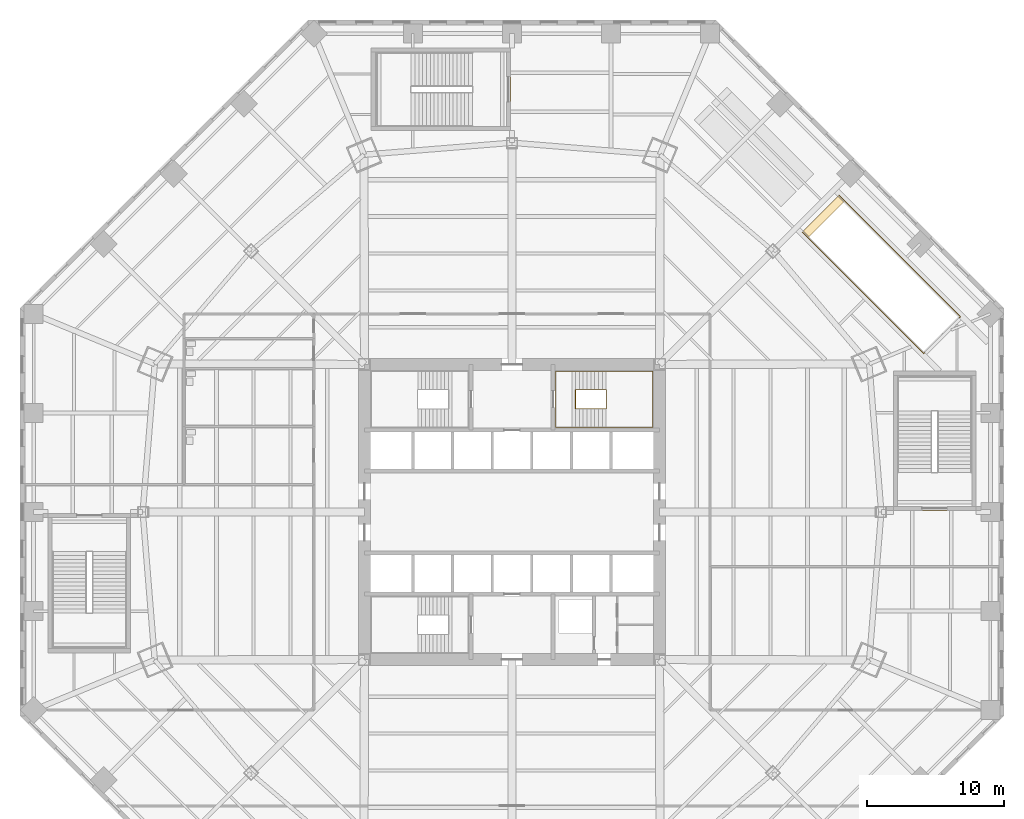
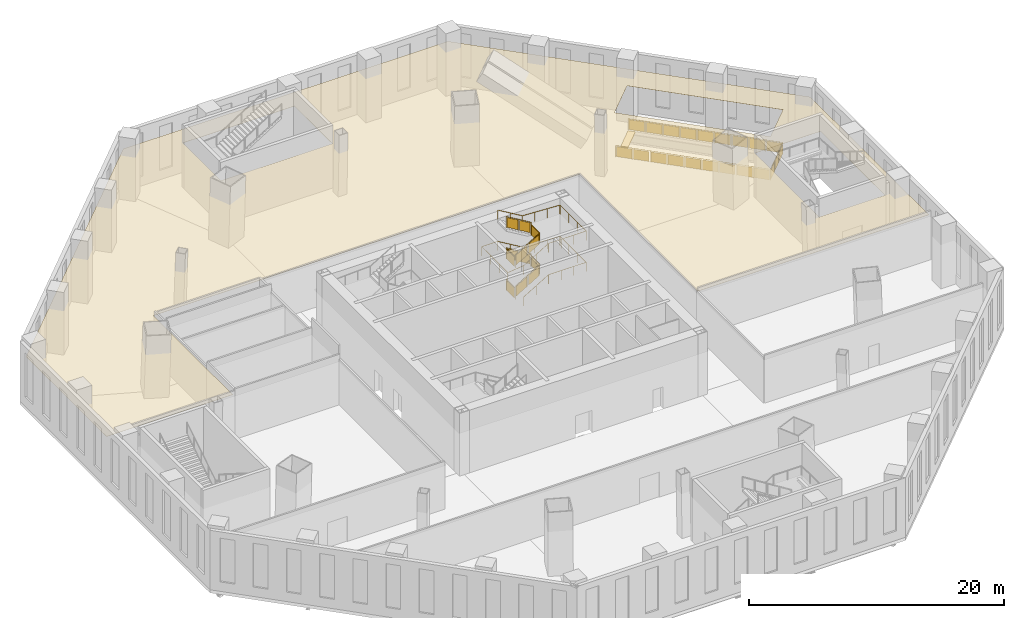
# One storey, part 17 of 20: 3 railings, 2 coverings.
"""IFC4 building model written with IfcOpenShell, lengths in metres."""

from ifc_helpers import new_model, si_unit, direction, frame, origin, origin_2d, place, context, subcontext, project, spatial, polyline, circle, outline, extrude, material, layer, layer_set, type_object, element, save


model = new_model("IFC4")

# Units and contexts
model_context = context("Model", 3, precision=1e-05, world=origin(), true_north=direction((0.0, 1.0)))
body_context = subcontext(model_context, "Body", "Model", "MODEL_VIEW")
ifc_project = project(units=[si_unit("LENGTHUNIT", "METRE"), si_unit("AREAUNIT", "SQUARE_METRE"), si_unit("VOLUMEUNIT", "CUBIC_METRE"), si_unit("PLANEANGLEUNIT", "RADIAN"), si_unit("MASSUNIT", "GRAM", prefix="KILO")], contexts=[model_context])

# Site, building, storey
site_placement = place(None, origin())
site = spatial("IfcSite", under=ifc_project, at=site_placement, CompositionType="ELEMENT")
building_placement = place(site_placement, origin())
building = spatial("IfcBuilding", under=site, at=building_placement, Name="Mashrafa Tower", CompositionType="ELEMENT")
storey_placement = place(building_placement, frame((0.0, 0.0, 7.199951171875)))
storey = spatial("IfcBuildingStorey", under=building, at=storey_placement, Name="L01", CompositionType="ELEMENT", Elevation=7.199951171875)

# Covering
ifc_material_1 = material(Name="Stainless steel chequer plate flooring", Category="steel")
ifc_layer_1 = layer(ifc_material_1, 0.050048828125)
ifc_layer_set_1 = layer_set([ifc_layer_1], Name="Escalator landing plate 50")
covering_type_1 = type_object("IfcCoveringType", Name="Escalator landing plate 50", PredefinedType="FLOORING", material=ifc_layer_set_1)
covering_1_placement = place(storey_placement, frame((0.0, 0.0, -0.050048828125)))
element("IfcCovering", 1, at=covering_1_placement, inside=storey, type_object=covering_type_1, Name="Escalator landing plate L01", PredefinedType="FLOORING", context=body_context, shape_type="SweptSolid", body=[
    extrude(outline(polyline([(21.72900390625, 20.1318359375), (24.2744140625, 22.677490234375), (23.85009765625, 23.101806640625), (21.3046875, 20.55615234375), (21.72900390625, 20.1318359375)])), origin(), (0.0, 0.0, 1.0), 0.050048828125),
])

# Railings
ifc_material_2 = material(Name="Steel guard with glass infill", Category="steel")
railing_type_1 = type_object("IfcRailingType", Name="Opening guard 1100", PredefinedType="GUARDRAIL", material=ifc_material_2)
railing_1_placement = place(storey_placement, frame((21.23388671875, 20.4853515625, 0.0)))
element("IfcRailing", 2, at=railing_1_placement, inside=storey, type_object=railing_type_1, Name="Escalator opening guard L01", PredefinedType="GUARDRAIL", context=body_context, shape_type="SweptSolid", body=[
    extrude(circle(Radius=0.02392578125, at=origin_2d()), frame((0.0, 0.0, 1.076171875), z_axis=(0.707116491857, -0.707097070382, 0.0), x_axis=(0.707097070382, 0.707116491857, 0.0)), (0.0, 0.0, 1.0), 12.570556640625),
    extrude(circle(Radius=0.02392578125, at=origin_2d()), frame((8.888916015625, -8.888671875, 1.076171875), z_axis=(0.707106781187, 0.707106781187, 0.0), x_axis=(-0.707106781187, 0.707106781187, 0.0)), (0.0, 0.0, 1.0), 3.800048828125),
    extrude(circle(Radius=0.02392578125, at=origin_2d()), frame((11.575927734375, -6.20166015625, 1.076171875), z_axis=(-0.707116491857, 0.707097070382, 0.0), x_axis=(-0.707097070382, -0.707116491857, 0.0)), (0.0, 0.0, 1.0), 12.570556640625),
    extrude(circle(Radius=0.02099609375, at=origin_2d()), origin(), (0.0, 0.0, 1.0), 1.052001953125),
    extrude(circle(Radius=0.02099609375, at=origin_2d()), frame((0.987548828125, -0.987548828125, 0.0)), (0.0, 0.0, 1.0), 1.052001953125),
    extrude(circle(Radius=0.02099609375, at=origin_2d()), frame((1.975341796875, -1.975341796875, 0.0)), (0.0, 0.0, 1.0), 1.052001953125),
    extrude(circle(Radius=0.02099609375, at=origin_2d()), frame((2.962890625, -2.962890625, 0.0)), (0.0, 0.0, 1.0), 1.052001953125),
    extrude(circle(Radius=0.02099609375, at=origin_2d()), frame((3.95068359375, -3.950439453125, 0.0)), (0.0, 0.0, 1.0), 1.052001953125),
    extrude(circle(Radius=0.02099609375, at=origin_2d()), frame((4.938232421875, -4.938232421875, 0.0)), (0.0, 0.0, 1.0), 1.052001953125),
    extrude(circle(Radius=0.02099609375, at=origin_2d()), frame((5.926025390625, -5.92578125, 0.0)), (0.0, 0.0, 1.0), 1.052001953125),
    extrude(circle(Radius=0.02099609375, at=origin_2d()), frame((6.91357421875, -6.913330078125, 0.0)), (0.0, 0.0, 1.0), 1.052001953125),
    extrude(circle(Radius=0.02099609375, at=origin_2d()), frame((7.9013671875, -7.901123046875, 0.0)), (0.0, 0.0, 1.0), 1.052001953125),
    extrude(circle(Radius=0.02099609375, at=origin_2d()), frame((8.888916015625, -8.888671875, 0.0)), (0.0, 0.0, 1.0), 1.052001953125),
    extrude(circle(Radius=0.02099609375, at=origin_2d()), frame((9.78466796875, -7.992919921875, 0.0)), (0.0, 0.0, 1.0), 1.052001953125),
    extrude(circle(Radius=0.02099609375, at=origin_2d()), frame((10.68017578125, -7.097412109375, 0.0)), (0.0, 0.0, 1.0), 1.052001953125),
    extrude(circle(Radius=0.02099609375, at=origin_2d()), frame((11.575927734375, -6.20166015625, 0.0)), (0.0, 0.0, 1.0), 1.052001953125),
    extrude(circle(Radius=0.02099609375, at=origin_2d()), frame((10.58837890625, -5.214111328125, 0.0)), (0.0, 0.0, 1.0), 1.052001953125),
    extrude(circle(Radius=0.02099609375, at=origin_2d()), frame((9.6005859375, -4.226318359375, 0.0)), (0.0, 0.0, 1.0), 1.052001953125),
    extrude(circle(Radius=0.02099609375, at=origin_2d()), frame((8.613037109375, -3.23876953125, 0.0)), (0.0, 0.0, 1.0), 1.052001953125),
    extrude(circle(Radius=0.02099609375, at=origin_2d()), frame((7.625244140625, -2.251220703125, 0.0)), (0.0, 0.0, 1.0), 1.052001953125),
    extrude(circle(Radius=0.02099609375, at=origin_2d()), frame((6.6376953125, -1.263427734375, 0.0)), (0.0, 0.0, 1.0), 1.052001953125),
    extrude(circle(Radius=0.02099609375, at=origin_2d()), frame((5.64990234375, -0.27587890625, 0.0)), (0.0, 0.0, 1.0), 1.052001953125),
    extrude(circle(Radius=0.02099609375, at=origin_2d()), frame((4.662353515625, 0.711669921875, 0.0)), (0.0, 0.0, 1.0), 1.052001953125),
    extrude(circle(Radius=0.02099609375, at=origin_2d()), frame((3.674560546875, 1.699462890625, 0.0)), (0.0, 0.0, 1.0), 1.052001953125),
    extrude(circle(Radius=0.02099609375, at=origin_2d()), frame((2.68701171875, 2.68701171875, 0.0)), (0.0, 0.0, 1.0), 1.052001953125),
    extrude(outline(polyline([(0.071044921875, 0.050048828125), (1.32568359375, 0.050048828125), (1.32568359375, 1.001953125), (0.071044921875, 1.001953125), (0.071044921875, 0.050048828125)])), frame((-0.004150390625, -0.004150390625, 0.0), z_axis=(-0.707097070382, -0.707116491857, 0.0), x_axis=(0.707116491857, -0.707097070382, 0.0)), (0.0, 0.0, 1.0), 0.011962890625),
    extrude(outline(polyline([(1.4677734375, 0.050048828125), (2.722412109375, 0.050048828125), (2.722412109375, 1.001953125), (1.4677734375, 1.001953125), (1.4677734375, 0.050048828125)])), frame((-0.004150390625, -0.004150390625, 0.0), z_axis=(-0.707097070382, -0.707116491857, 0.0), x_axis=(0.707116491857, -0.707097070382, 0.0)), (0.0, 0.0, 1.0), 0.011962890625),
    extrude(outline(polyline([(2.864501953125, 0.050048828125), (4.119140625, 0.050048828125), (4.119140625, 1.001953125), (2.864501953125, 1.001953125), (2.864501953125, 0.050048828125)])), frame((-0.004150390625, -0.004150390625, 0.0), z_axis=(-0.707097070382, -0.707116491857, 0.0), x_axis=(0.707116491857, -0.707097070382, 0.0)), (0.0, 0.0, 1.0), 0.011962890625),
    extrude(outline(polyline([(4.26123046875, 0.050048828125), (5.515869140625, 0.050048828125), (5.515869140625, 1.001953125), (4.26123046875, 1.001953125), (4.26123046875, 0.050048828125)])), frame((-0.004150390625, -0.004150390625, 0.0), z_axis=(-0.707097070382, -0.707116491857, 0.0), x_axis=(0.707116491857, -0.707097070382, 0.0)), (0.0, 0.0, 1.0), 0.011962890625),
    extrude(outline(polyline([(5.657958984375, 0.050048828125), (6.91259765625, 0.050048828125), (6.91259765625, 1.001953125), (5.657958984375, 1.001953125), (5.657958984375, 0.050048828125)])), frame((-0.004150390625, -0.004150390625, 0.0), z_axis=(-0.707097070382, -0.707116491857, 0.0), x_axis=(0.707116491857, -0.707097070382, 0.0)), (0.0, 0.0, 1.0), 0.011962890625),
    extrude(outline(polyline([(7.0546875, 0.050048828125), (8.309326171875, 0.050048828125), (8.309326171875, 1.001953125), (7.0546875, 1.001953125), (7.0546875, 0.050048828125)])), frame((-0.004150390625, -0.004150390625, 0.0), z_axis=(-0.707097070382, -0.707116491857, 0.0), x_axis=(0.707116491857, -0.707097070382, 0.0)), (0.0, 0.0, 1.0), 0.011962890625),
    extrude(outline(polyline([(8.451416015625, 0.050048828125), (9.706298828125, 0.050048828125), (9.706298828125, 1.001953125), (8.451416015625, 1.001953125), (8.451416015625, 0.050048828125)])), frame((-0.004150390625, -0.004150390625, 0.0), z_axis=(-0.707097070382, -0.707116491857, 0.0), x_axis=(0.707116491857, -0.707097070382, 0.0)), (0.0, 0.0, 1.0), 0.011962890625),
    extrude(outline(polyline([(9.84814453125, 0.050048828125), (11.10302734375, 0.050048828125), (11.10302734375, 1.001953125), (9.84814453125, 1.001953125), (9.84814453125, 0.050048828125)])), frame((-0.004150390625, -0.004150390625, 0.0), z_axis=(-0.707097070382, -0.707116491857, 0.0), x_axis=(0.707116491857, -0.707097070382, 0.0)), (0.0, 0.0, 1.0), 0.011962890625),
    extrude(outline(polyline([(11.244873046875, 0.050048828125), (12.499755859375, 0.050048828125), (12.499755859375, 1.001953125), (11.244873046875, 1.001953125), (11.244873046875, 0.050048828125)])), frame((-0.004150390625, -0.004150390625, 0.0), z_axis=(-0.707097070382, -0.707116491857, 0.0), x_axis=(0.707116491857, -0.707097070382, 0.0)), (0.0, 0.0, 1.0), 0.011962890625),
    extrude(outline(polyline([(0.071044921875, 0.050048828125), (1.195556640625, 0.050048828125), (1.195556640625, 1.001953125), (0.071044921875, 1.001953125), (0.071044921875, 0.050048828125)])), frame((8.89306640625, -8.892822265625, 0.0), z_axis=(0.707106781187, -0.707106781187, 0.0), x_axis=(0.707106781187, 0.707106781187, 0.0)), (0.0, 0.0, 1.0), 0.011962890625),
    extrude(outline(polyline([(1.337646484375, 0.050048828125), (2.46240234375, 0.050048828125), (2.46240234375, 1.001953125), (1.337646484375, 1.001953125), (1.337646484375, 0.050048828125)])), frame((8.89306640625, -8.892822265625, 0.0), z_axis=(0.707106781187, -0.707106781187, 0.0), x_axis=(0.707106781187, 0.707106781187, 0.0)), (0.0, 0.0, 1.0), 0.011962890625),
    extrude(outline(polyline([(2.604248046875, 0.050048828125), (3.72900390625, 0.050048828125), (3.72900390625, 1.001953125), (2.604248046875, 1.001953125), (2.604248046875, 0.050048828125)])), frame((8.89306640625, -8.892822265625, 0.0), z_axis=(0.707106781187, -0.707106781187, 0.0), x_axis=(0.707106781187, 0.707106781187, 0.0)), (0.0, 0.0, 1.0), 0.011962890625),
    extrude(outline(polyline([(0.071044921875, 0.050048828125), (1.32568359375, 0.050048828125), (1.32568359375, 1.001953125), (0.071044921875, 1.001953125), (0.071044921875, 0.050048828125)])), frame((11.580078125, -6.197509765625, 0.0), z_axis=(0.707097070382, 0.707116491857, 0.0), x_axis=(-0.707116491857, 0.707097070382, 0.0)), (0.0, 0.0, 1.0), 0.011962890625),
    extrude(outline(polyline([(1.4677734375, 0.050048828125), (2.722412109375, 0.050048828125), (2.722412109375, 1.001953125), (1.4677734375, 1.001953125), (1.4677734375, 0.050048828125)])), frame((11.580078125, -6.197509765625, 0.0), z_axis=(0.707097070382, 0.707116491857, 0.0), x_axis=(-0.707116491857, 0.707097070382, 0.0)), (0.0, 0.0, 1.0), 0.011962890625),
    extrude(outline(polyline([(2.864501953125, 0.050048828125), (4.119140625, 0.050048828125), (4.119140625, 1.001953125), (2.864501953125, 1.001953125), (2.864501953125, 0.050048828125)])), frame((11.580078125, -6.197509765625, 0.0), z_axis=(0.707097070382, 0.707116491857, 0.0), x_axis=(-0.707116491857, 0.707097070382, 0.0)), (0.0, 0.0, 1.0), 0.011962890625),
    extrude(outline(polyline([(4.26123046875, 0.050048828125), (5.515869140625, 0.050048828125), (5.515869140625, 1.001953125), (4.26123046875, 1.001953125), (4.26123046875, 0.050048828125)])), frame((11.580078125, -6.197509765625, 0.0), z_axis=(0.707097070382, 0.707116491857, 0.0), x_axis=(-0.707116491857, 0.707097070382, 0.0)), (0.0, 0.0, 1.0), 0.011962890625),
    extrude(outline(polyline([(5.657958984375, 0.050048828125), (6.91259765625, 0.050048828125), (6.91259765625, 1.001953125), (5.657958984375, 1.001953125), (5.657958984375, 0.050048828125)])), frame((11.580078125, -6.197509765625, 0.0), z_axis=(0.707097070382, 0.707116491857, 0.0), x_axis=(-0.707116491857, 0.707097070382, 0.0)), (0.0, 0.0, 1.0), 0.011962890625),
    extrude(outline(polyline([(7.0546875, 0.050048828125), (8.309326171875, 0.050048828125), (8.309326171875, 1.001953125), (7.0546875, 1.001953125), (7.0546875, 0.050048828125)])), frame((11.580078125, -6.197509765625, 0.0), z_axis=(0.707097070382, 0.707116491857, 0.0), x_axis=(-0.707116491857, 0.707097070382, 0.0)), (0.0, 0.0, 1.0), 0.011962890625),
    extrude(outline(polyline([(8.451416015625, 0.050048828125), (9.706298828125, 0.050048828125), (9.706298828125, 1.001953125), (8.451416015625, 1.001953125), (8.451416015625, 0.050048828125)])), frame((11.580078125, -6.197509765625, 0.0), z_axis=(0.707097070382, 0.707116491857, 0.0), x_axis=(-0.707116491857, 0.707097070382, 0.0)), (0.0, 0.0, 1.0), 0.011962890625),
    extrude(outline(polyline([(9.84814453125, 0.050048828125), (11.10302734375, 0.050048828125), (11.10302734375, 1.001953125), (9.84814453125, 1.001953125), (9.84814453125, 0.050048828125)])), frame((11.580078125, -6.197509765625, 0.0), z_axis=(0.707097070382, 0.707116491857, 0.0), x_axis=(-0.707116491857, 0.707097070382, 0.0)), (0.0, 0.0, 1.0), 0.011962890625),
    extrude(outline(polyline([(11.244873046875, 0.050048828125), (12.499755859375, 0.050048828125), (12.499755859375, 1.001953125), (11.244873046875, 1.001953125), (11.244873046875, 0.050048828125)])), frame((11.580078125, -6.197509765625, 0.0), z_axis=(0.707097070382, 0.707116491857, 0.0), x_axis=(-0.707116491857, 0.707097070382, 0.0)), (0.0, 0.0, 1.0), 0.011962890625),
])
ifc_material_3 = material(Name="Steel guard with glass infill", Category="steel")
railing_type_2 = type_object("IfcRailingType", Name="Stair guard 1100", PredefinedType="GUARDRAIL", material=ifc_material_3)
railing_2_placement = place(storey_placement, frame((4.64990234375, 8.949951171875, 0.0)))
element("IfcRailing", 3, at=railing_2_placement, inside=storey, type_object=railing_type_2, Name="Stair S2 guard L01", PredefinedType="GUARDRAIL", context=body_context, shape_type="SweptSolid", body=[
    extrude(circle(Radius=0.02392578125, at=origin_2d()), frame((0.0, 0.0, 1.076171875), z_axis=(0.0, -1.0, 0.0), x_axis=(1.0, 0.0, 0.0)), (0.0, 0.0, 1.0), 1.39990234375),
    extrude(circle(Radius=0.02392578125, at=origin_2d()), frame((0.0, -1.39990234375, 1.076171875), z_axis=(0.0, 0.0, 1.0), x_axis=(1.0, 0.0, 0.0)), (0.0, 0.0, 1.0), 0.166748046875),
    extrude(circle(Radius=0.02392578125, at=origin_2d()), frame((0.0, -1.39990234375, 1.24267578125), z_axis=(0.859305625298, 0.0, 0.511462454469), x_axis=(0.0, 1.0, 0.0)), (0.0, 0.0, 1.0), 2.606689453125),
    extrude(circle(Radius=0.02392578125, at=origin_2d()), frame((2.239990234375, -1.39990234375, 2.576171875), z_axis=(0.0, 1.0, 0.0), x_axis=(-1.0, 0.0, 0.0)), (0.0, 0.0, 1.0), 1.39990234375),
    extrude(circle(Radius=0.02392578125, at=origin_2d()), frame((2.239990234375, 0.0, 2.576171875), z_axis=(0.0, 0.0, 1.0), x_axis=(1.0, 0.0, 0.0)), (0.0, 0.0, 1.0), 0.166748046875),
    extrude(circle(Radius=0.02392578125, at=origin_2d()), frame((2.239990234375, 0.0, 2.74267578125), z_axis=(-0.859305625298, 0.0, 0.511462454469), x_axis=(0.0, -1.0, 0.0)), (0.0, 0.0, 1.0), 2.606689453125),
    extrude(circle(Radius=0.02392578125, at=origin_2d()), frame((0.0, 0.0, 4.076171875), z_axis=(0.0, -1.0, 0.0), x_axis=(1.0, 0.0, 0.0)), (0.0, 0.0, 1.0), 1.39990234375),
    extrude(circle(Radius=0.02392578125, at=origin_2d()), frame((0.0, -1.39990234375, 4.076171875), z_axis=(0.0, 0.0, 1.0), x_axis=(1.0, 0.0, 0.0)), (0.0, 0.0, 1.0), 0.166748046875),
    extrude(circle(Radius=0.02392578125, at=origin_2d()), frame((0.0, -1.39990234375, 4.24267578125), z_axis=(0.859305625298, 0.0, 0.511462454469), x_axis=(0.0, 1.0, 0.0)), (0.0, 0.0, 1.0), 2.606689453125),
    extrude(circle(Radius=0.02392578125, at=origin_2d()), frame((2.239990234375, -1.39990234375, 5.576171875), z_axis=(0.0, 1.0, 0.0), x_axis=(-1.0, 0.0, 0.0)), (0.0, 0.0, 1.0), 1.39990234375),
    extrude(circle(Radius=0.02392578125, at=origin_2d()), frame((2.239990234375, 0.0, 5.576171875), z_axis=(0.0, 0.0, 1.0), x_axis=(1.0, 0.0, 0.0)), (0.0, 0.0, 1.0), 0.166748046875),
    extrude(circle(Radius=0.02392578125, at=origin_2d()), frame((2.239990234375, 0.0, 5.74267578125), z_axis=(-0.859305625298, 0.0, 0.511462454469), x_axis=(0.0, -1.0, 0.0)), (0.0, 0.0, 1.0), 2.606689453125),
    extrude(circle(Radius=0.02099609375, at=origin_2d()), origin(), (0.0, 0.0, 1.0), 1.052001953125),
    extrude(circle(Radius=0.02099609375, at=origin_2d()), frame((0.0, -1.39990234375, 0.0)), (0.0, 0.0, 1.0), 1.052001953125),
    extrude(circle(Radius=0.02099609375, at=origin_2d()), frame((0.0, -1.39990234375, 0.166748046875)), (0.0, 0.0, 1.0), 1.052001953125),
    extrude(circle(Radius=0.02099609375, at=origin_2d()), frame((1.1201171875, -1.39990234375, 0.83349609375)), (0.0, 0.0, 1.0), 1.052001953125),
    extrude(circle(Radius=0.02099609375, at=origin_2d()), frame((2.239990234375, -1.39990234375, 1.5)), (0.0, 0.0, 1.0), 1.052001953125),
    extrude(circle(Radius=0.02099609375, at=origin_2d()), frame((2.239990234375, 0.0, 1.5)), (0.0, 0.0, 1.0), 1.052001953125),
    extrude(circle(Radius=0.02099609375, at=origin_2d()), frame((2.239990234375, 0.0, 1.666748046875)), (0.0, 0.0, 1.0), 1.052001953125),
    extrude(circle(Radius=0.02099609375, at=origin_2d()), frame((1.1201171875, 0.0, 2.33349609375)), (0.0, 0.0, 1.0), 1.052001953125),
    extrude(circle(Radius=0.02099609375, at=origin_2d()), frame((0.0, 0.0, 3.0)), (0.0, 0.0, 1.0), 1.052001953125),
    extrude(circle(Radius=0.02099609375, at=origin_2d()), frame((0.0, -1.39990234375, 3.0)), (0.0, 0.0, 1.0), 1.052001953125),
    extrude(circle(Radius=0.02099609375, at=origin_2d()), frame((0.0, -1.39990234375, 3.166748046875)), (0.0, 0.0, 1.0), 1.052001953125),
    extrude(circle(Radius=0.02099609375, at=origin_2d()), frame((1.1201171875, -1.39990234375, 3.83349609375)), (0.0, 0.0, 1.0), 1.052001953125),
    extrude(circle(Radius=0.02099609375, at=origin_2d()), frame((2.239990234375, -1.39990234375, 4.5)), (0.0, 0.0, 1.0), 1.052001953125),
    extrude(circle(Radius=0.02099609375, at=origin_2d()), frame((2.239990234375, 0.0, 4.5)), (0.0, 0.0, 1.0), 1.052001953125),
    extrude(circle(Radius=0.02099609375, at=origin_2d()), frame((2.239990234375, 0.0, 4.666748046875)), (0.0, 0.0, 1.0), 1.052001953125),
    extrude(circle(Radius=0.02099609375, at=origin_2d()), frame((1.1201171875, 0.0, 5.33349609375)), (0.0, 0.0, 1.0), 1.052001953125),
    extrude(circle(Radius=0.02099609375, at=origin_2d()), frame((0.0, 0.0, 6.0)), (0.0, 0.0, 1.0), 1.052001953125),
    extrude(outline(polyline([(0.071044921875, 0.050048828125), (1.328857421875, 0.050048828125), (1.328857421875, 1.001953125), (0.071044921875, 1.001953125), (0.071044921875, 0.050048828125)])), frame((-0.006103515625, 0.0, 0.0), z_axis=(-1.0, 0.0, 0.0), x_axis=(0.0, -1.0, 0.0)), (0.0, 0.0, 1.0), 0.011962890625),
    extrude(outline(polyline([(0.071044921875, 0.09228515625), (1.049072265625, 0.67431640625), (1.049072265625, 1.62646484375), (0.071044921875, 1.044189453125), (0.071044921875, 0.09228515625)])), frame((0.0, -1.406005859375, 0.166748046875), z_axis=(0.0, -1.0, 0.0), x_axis=(1.0, 0.0, 0.0)), (0.0, 0.0, 1.0), 0.011962890625),
    extrude(outline(polyline([(1.19091796875, 0.7587890625), (2.1689453125, 1.341064453125), (2.1689453125, 2.29296875), (1.19091796875, 1.7109375), (1.19091796875, 0.7587890625)])), frame((0.0, -1.406005859375, 0.166748046875), z_axis=(0.0, -1.0, 0.0), x_axis=(1.0, 0.0, 0.0)), (0.0, 0.0, 1.0), 0.011962890625),
    extrude(outline(polyline([(0.071044921875, 0.050048828125), (1.328857421875, 0.050048828125), (1.328857421875, 1.001953125), (0.071044921875, 1.001953125), (0.071044921875, 0.050048828125)])), frame((2.24609375, -1.39990234375, 1.5), z_axis=(1.0, 0.0, 0.0), x_axis=(0.0, 1.0, 0.0)), (0.0, 0.0, 1.0), 0.011962890625),
    extrude(outline(polyline([(0.071044921875, 0.09228515625), (1.049072265625, 0.67431640625), (1.049072265625, 1.62646484375), (0.071044921875, 1.044189453125), (0.071044921875, 0.09228515625)])), frame((2.239990234375, 0.006103515625, 1.666748046875), z_axis=(0.0, 1.0, 0.0), x_axis=(-1.0, 0.0, 0.0)), (0.0, 0.0, 1.0), 0.011962890625),
    extrude(outline(polyline([(1.19091796875, 0.7587890625), (2.1689453125, 1.341064453125), (2.1689453125, 2.29296875), (1.19091796875, 1.7109375), (1.19091796875, 0.7587890625)])), frame((2.239990234375, 0.006103515625, 1.666748046875), z_axis=(0.0, 1.0, 0.0), x_axis=(-1.0, 0.0, 0.0)), (0.0, 0.0, 1.0), 0.011962890625),
    extrude(outline(polyline([(0.071044921875, 0.050048828125), (1.328857421875, 0.050048828125), (1.328857421875, 1.001953125), (0.071044921875, 1.001953125), (0.071044921875, 0.050048828125)])), frame((-0.006103515625, 0.0, 3.0), z_axis=(-1.0, 0.0, 0.0), x_axis=(0.0, -1.0, 0.0)), (0.0, 0.0, 1.0), 0.011962890625),
    extrude(outline(polyline([(0.071044921875, 0.09228515625), (1.049072265625, 0.67431640625), (1.049072265625, 1.62646484375), (0.071044921875, 1.044189453125), (0.071044921875, 0.09228515625)])), frame((0.0, -1.406005859375, 3.166748046875), z_axis=(0.0, -1.0, 0.0), x_axis=(1.0, 0.0, 0.0)), (0.0, 0.0, 1.0), 0.011962890625),
    extrude(outline(polyline([(1.19091796875, 0.7587890625), (2.1689453125, 1.341064453125), (2.1689453125, 2.29296875), (1.19091796875, 1.7109375), (1.19091796875, 0.7587890625)])), frame((0.0, -1.406005859375, 3.166748046875), z_axis=(0.0, -1.0, 0.0), x_axis=(1.0, 0.0, 0.0)), (0.0, 0.0, 1.0), 0.011962890625),
    extrude(outline(polyline([(0.071044921875, 0.050048828125), (1.328857421875, 0.050048828125), (1.328857421875, 1.001953125), (0.071044921875, 1.001953125), (0.071044921875, 0.050048828125)])), frame((2.24609375, -1.39990234375, 4.5), z_axis=(1.0, 0.0, 0.0), x_axis=(0.0, 1.0, 0.0)), (0.0, 0.0, 1.0), 0.011962890625),
    extrude(outline(polyline([(0.071044921875, 0.09228515625), (1.049072265625, 0.67431640625), (1.049072265625, 1.62646484375), (0.071044921875, 1.044189453125), (0.071044921875, 0.09228515625)])), frame((2.239990234375, 0.006103515625, 4.666748046875), z_axis=(0.0, 1.0, 0.0), x_axis=(-1.0, 0.0, 0.0)), (0.0, 0.0, 1.0), 0.011962890625),
    extrude(outline(polyline([(1.19091796875, 0.7587890625), (2.1689453125, 1.341064453125), (2.1689453125, 2.29296875), (1.19091796875, 1.7109375), (1.19091796875, 0.7587890625)])), frame((2.239990234375, 0.006103515625, 4.666748046875), z_axis=(0.0, 1.0, 0.0), x_axis=(-1.0, 0.0, 0.0)), (0.0, 0.0, 1.0), 0.011962890625),
])
ifc_material_4 = material(Name="Steel", Category="steel")
railing_type_3 = type_object("IfcRailingType", Name="Stair handrail 900", PredefinedType="HANDRAIL", material=ifc_material_4)
railing_3_placement = place(storey_placement, frame((4.64990234375, 6.199951171875, 0.166748046875)))
element("IfcRailing", 4, at=railing_3_placement, inside=storey, type_object=railing_type_3, Name="Stair S2 handrail L01", PredefinedType="HANDRAIL", context=body_context, shape_type="SweptSolid", body=[
    extrude(circle(Radius=0.02392578125, at=origin_2d()), frame((0.0, 0.0, 0.8759765625), z_axis=(0.859305625298, 0.0, 0.511462454469), x_axis=(0.0, 1.0, 0.0)), (0.0, 0.0, 1.0), 2.606689453125),
    extrude(circle(Radius=0.02392578125, at=origin_2d()), frame((2.239990234375, 0.0, 2.208984375), z_axis=(1.0, 0.0, 0.0), x_axis=(0.0, 1.0, 0.0)), (0.0, 0.0, 1.0), 3.41015625),
    extrude(circle(Radius=0.02392578125, at=origin_2d()), frame((5.650146484375, 0.0, 2.208984375), z_axis=(0.0, 1.0, 0.0), x_axis=(-1.0, 0.0, 0.0)), (0.0, 0.0, 1.0), 4.10009765625),
    extrude(circle(Radius=0.02392578125, at=origin_2d()), frame((5.650146484375, 4.10009765625, 2.208984375), z_axis=(-0.99880665773, 0.0, 0.048839128524), x_axis=(0.0, -1.0, 0.0)), (0.0, 0.0, 1.0), 3.414306640625),
    extrude(circle(Radius=0.02392578125, at=origin_2d()), frame((2.239990234375, 4.10009765625, 2.3759765625), z_axis=(-0.859305625298, 0.0, 0.511462454469), x_axis=(0.0, -1.0, 0.0)), (0.0, 0.0, 1.0), 2.606689453125),
    extrude(circle(Radius=0.02392578125, at=origin_2d()), frame((0.0, 4.10009765625, 3.708984375), z_axis=(-1.0, 0.0, 0.0), x_axis=(0.0, -1.0, 0.0)), (0.0, 0.0, 1.0), 1.449951171875),
    extrude(circle(Radius=0.02392578125, at=origin_2d()), frame((-1.449951171875, 4.10009765625, 3.708984375), z_axis=(0.0, -1.0, 0.0), x_axis=(1.0, 0.0, 0.0)), (0.0, 0.0, 1.0), 4.10009765625),
    extrude(circle(Radius=0.02392578125, at=origin_2d()), frame((-1.449951171875, 0.0, 3.708984375), z_axis=(0.993452088381, 0.0, 0.114249499304), x_axis=(0.0, 1.0, 0.0)), (0.0, 0.0, 1.0), 1.45947265625),
    extrude(circle(Radius=0.02392578125, at=origin_2d()), frame((0.0, 0.0, 3.8759765625), z_axis=(0.859305625298, 0.0, 0.511462454469), x_axis=(0.0, 1.0, 0.0)), (0.0, 0.0, 1.0), 2.606689453125),
    extrude(circle(Radius=0.02392578125, at=origin_2d()), frame((2.239990234375, 0.0, 5.208984375), z_axis=(1.0, 0.0, 0.0), x_axis=(0.0, 1.0, 0.0)), (0.0, 0.0, 1.0), 3.41015625),
    extrude(circle(Radius=0.02392578125, at=origin_2d()), frame((5.650146484375, 0.0, 5.208984375), z_axis=(0.0, 1.0, 0.0), x_axis=(-1.0, 0.0, 0.0)), (0.0, 0.0, 1.0), 4.10009765625),
    extrude(circle(Radius=0.02392578125, at=origin_2d()), frame((5.650146484375, 4.10009765625, 5.208984375), z_axis=(-0.99880665773, 0.0, 0.048839128524), x_axis=(0.0, -1.0, 0.0)), (0.0, 0.0, 1.0), 3.414306640625),
    extrude(circle(Radius=0.02392578125, at=origin_2d()), frame((2.239990234375, 4.10009765625, 5.3759765625), z_axis=(-0.859305625298, 0.0, 0.511462454469), x_axis=(0.0, -1.0, 0.0)), (0.0, 0.0, 1.0), 2.606689453125),
    extrude(circle(Radius=0.02099609375, at=origin_2d()), origin(), (0.0, 0.0, 1.0), 0.851806640625),
    extrude(circle(Radius=0.02099609375, at=origin_2d()), frame((1.1201171875, 0.0, 0.66650390625)), (0.0, 0.0, 1.0), 0.851806640625),
    extrude(circle(Radius=0.02099609375, at=origin_2d()), frame((2.239990234375, 0.0, 1.333251953125)), (0.0, 0.0, 1.0), 0.851806640625),
    extrude(circle(Radius=0.02099609375, at=origin_2d()), frame((3.376708984375, 0.0, 1.333251953125)), (0.0, 0.0, 1.0), 0.851806640625),
    extrude(circle(Radius=0.02099609375, at=origin_2d()), frame((4.513427734375, 0.0, 1.333251953125)), (0.0, 0.0, 1.0), 0.851806640625),
    extrude(circle(Radius=0.02099609375, at=origin_2d()), frame((5.650146484375, 0.0, 1.333251953125)), (0.0, 0.0, 1.0), 0.851806640625),
    extrude(circle(Radius=0.02099609375, at=origin_2d()), frame((5.650146484375, 1.36669921875, 1.333251953125)), (0.0, 0.0, 1.0), 0.851806640625),
    extrude(circle(Radius=0.02099609375, at=origin_2d()), frame((5.650146484375, 2.7333984375, 1.333251953125)), (0.0, 0.0, 1.0), 0.851806640625),
    extrude(circle(Radius=0.02099609375, at=origin_2d()), frame((5.650146484375, 4.10009765625, 1.333251953125)), (0.0, 0.0, 1.0), 0.851806640625),
    extrude(circle(Radius=0.02099609375, at=origin_2d()), frame((4.513427734375, 4.10009765625, 1.388916015625)), (0.0, 0.0, 1.0), 0.851806640625),
    extrude(circle(Radius=0.02099609375, at=origin_2d()), frame((3.376708984375, 4.10009765625, 1.4443359375)), (0.0, 0.0, 1.0), 0.851806640625),
    extrude(circle(Radius=0.02099609375, at=origin_2d()), frame((2.239990234375, 4.10009765625, 1.5)), (0.0, 0.0, 1.0), 0.851806640625),
    extrude(circle(Radius=0.02099609375, at=origin_2d()), frame((1.1201171875, 4.10009765625, 2.16650390625)), (0.0, 0.0, 1.0), 0.851806640625),
    extrude(circle(Radius=0.02099609375, at=origin_2d()), frame((0.0, 4.10009765625, 2.833251953125)), (0.0, 0.0, 1.0), 0.851806640625),
    extrude(circle(Radius=0.02099609375, at=origin_2d()), frame((-1.449951171875, 4.10009765625, 2.833251953125)), (0.0, 0.0, 1.0), 0.851806640625),
    extrude(circle(Radius=0.02099609375, at=origin_2d()), frame((-1.449951171875, 2.7333984375, 2.833251953125)), (0.0, 0.0, 1.0), 0.851806640625),
    extrude(circle(Radius=0.02099609375, at=origin_2d()), frame((-1.449951171875, 1.36669921875, 2.833251953125)), (0.0, 0.0, 1.0), 0.851806640625),
    extrude(circle(Radius=0.02099609375, at=origin_2d()), frame((-1.449951171875, 0.0, 2.833251953125)), (0.0, 0.0, 1.0), 0.851806640625),
    extrude(circle(Radius=0.02099609375, at=origin_2d()), frame((0.0, 0.0, 3.0)), (0.0, 0.0, 1.0), 0.851806640625),
    extrude(circle(Radius=0.02099609375, at=origin_2d()), frame((1.1201171875, 0.0, 3.66650390625)), (0.0, 0.0, 1.0), 0.851806640625),
    extrude(circle(Radius=0.02099609375, at=origin_2d()), frame((2.239990234375, 0.0, 4.333251953125)), (0.0, 0.0, 1.0), 0.851806640625),
    extrude(circle(Radius=0.02099609375, at=origin_2d()), frame((3.376708984375, 0.0, 4.333251953125)), (0.0, 0.0, 1.0), 0.851806640625),
    extrude(circle(Radius=0.02099609375, at=origin_2d()), frame((4.513427734375, 0.0, 4.333251953125)), (0.0, 0.0, 1.0), 0.851806640625),
    extrude(circle(Radius=0.02099609375, at=origin_2d()), frame((5.650146484375, 0.0, 4.333251953125)), (0.0, 0.0, 1.0), 0.851806640625),
    extrude(circle(Radius=0.02099609375, at=origin_2d()), frame((5.650146484375, 1.36669921875, 4.333251953125)), (0.0, 0.0, 1.0), 0.851806640625),
    extrude(circle(Radius=0.02099609375, at=origin_2d()), frame((5.650146484375, 2.7333984375, 4.333251953125)), (0.0, 0.0, 1.0), 0.851806640625),
    extrude(circle(Radius=0.02099609375, at=origin_2d()), frame((5.650146484375, 4.10009765625, 4.333251953125)), (0.0, 0.0, 1.0), 0.851806640625),
    extrude(circle(Radius=0.02099609375, at=origin_2d()), frame((4.513427734375, 4.10009765625, 4.388916015625)), (0.0, 0.0, 1.0), 0.851806640625),
    extrude(circle(Radius=0.02099609375, at=origin_2d()), frame((3.376708984375, 4.10009765625, 4.4443359375)), (0.0, 0.0, 1.0), 0.851806640625),
    extrude(circle(Radius=0.02099609375, at=origin_2d()), frame((2.239990234375, 4.10009765625, 4.5)), (0.0, 0.0, 1.0), 0.851806640625),
    extrude(circle(Radius=0.02099609375, at=origin_2d()), frame((1.1201171875, 4.10009765625, 5.16650390625)), (0.0, 0.0, 1.0), 0.851806640625),
    extrude(circle(Radius=0.02099609375, at=origin_2d()), frame((0.0, 4.10009765625, 5.833251953125)), (0.0, 0.0, 1.0), 0.851806640625),
])

# Covering
ifc_material_5 = material(Name="Mineral fibre tile on suspension grid")
ifc_layer_2 = layer(ifc_material_5, 0.014892578125)
ifc_layer_set_2 = layer_set([ifc_layer_2], Name="Suspended ceiling mineral tile 15")
covering_type_2 = type_object("IfcCoveringType", Name="Suspended ceiling mineral tile 15", PredefinedType="CEILING", material=ifc_layer_set_2)
covering_2_placement = place(storey_placement, frame((0.0, 0.0, 4.199951171875)))
element("IfcCovering", 5, at=covering_2_placement, inside=storey, type_object=covering_type_2, Name="Ceiling Exhibition Hall L01", PredefinedType="CEILING", context=body_context, shape_type="SweptSolid", body=[
    extrude(outline(polyline([(-35.550048828125, 14.725341796875), (-14.725341796875, 35.550048828125), (14.725341796875, 35.550048828125), (35.550048828125, 14.725341796875), (35.550048828125, -3.89990234375), (14.60009765625, -3.89990234375), (14.60009765625, 14.60009765625), (-24.10009765625, 14.60009765625), (-24.10009765625, 2.10009765625), (-35.550048828125, 2.10009765625), (-35.550048828125, 14.725341796875)]), holes=[polyline([(33.89990234375, 10.25), (27.949951171875, 10.25), (27.949951171875, 0.14990234375), (33.89990234375, 0.14990234375), (33.89990234375, 10.25)]), polyline([(32.809814453125, 14.28369140625), (23.85009765625, 23.2431640625), (21.1630859375, 20.55615234375), (30.122802734375, 11.5966796875), (32.809814453125, 14.28369140625)]), polyline([(-10.25, 33.89990234375), (-10.25, 27.949951171875), (-0.14990234375, 27.949951171875), (-0.14990234375, 33.89990234375), (-10.25, 33.89990234375)])]), origin(), (0.0, 0.0, 1.0), 0.01513671875),
])

save(model, "model.ifc")
